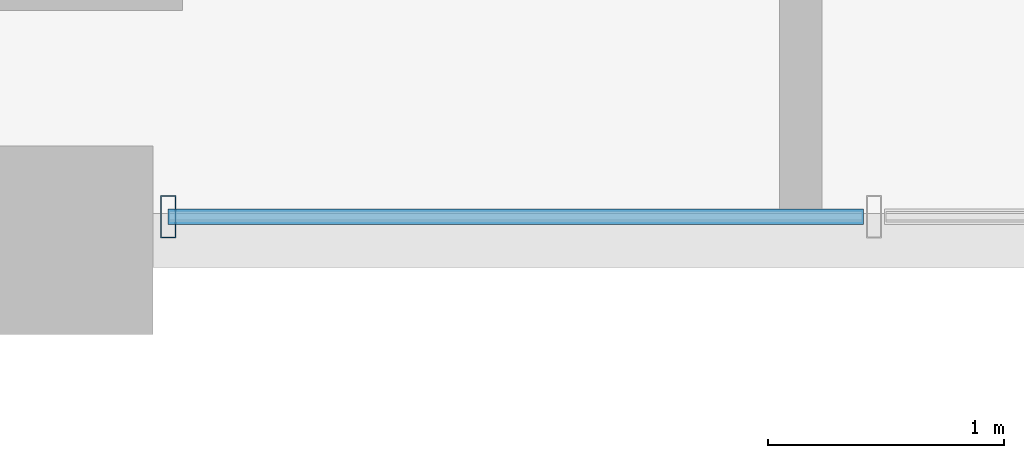
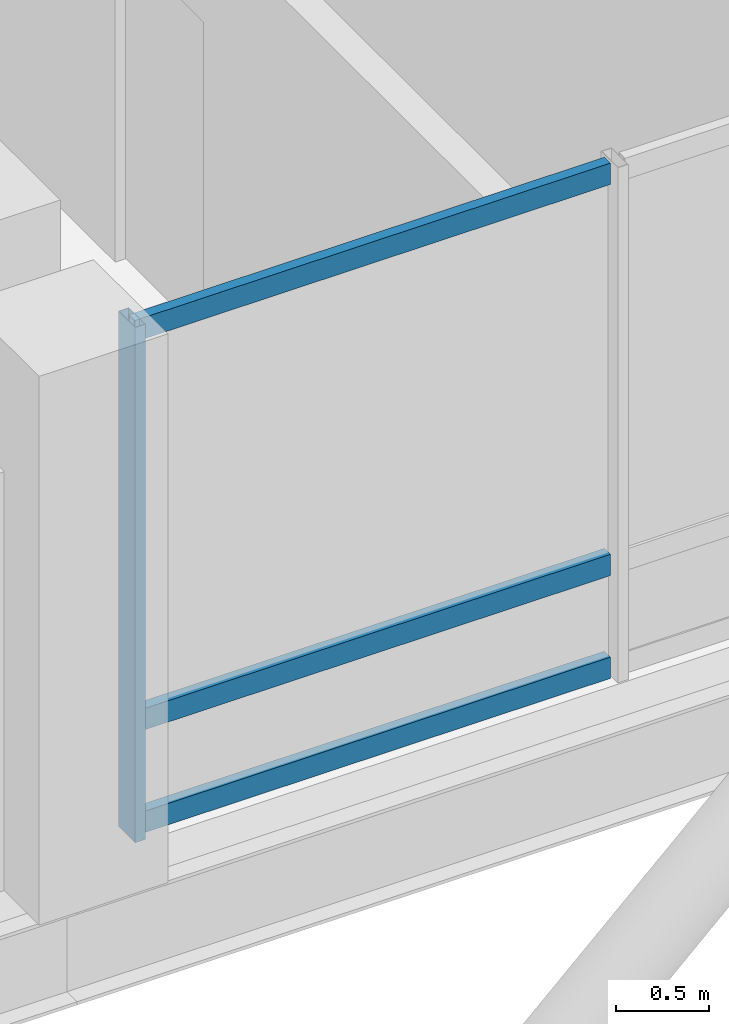
# One storey, part 2 of 24: 4 members, 1 element without a shape of its own.
"""IFC4 building model written with IfcOpenShell, lengths in metres."""

from ifc_helpers import new_model, si_unit, direction, frame, origin, origin_2d, place, context, subcontext, project, spatial, hollow_rectangle, extrude, material, layer, layer_set, material_profile, profile_set, type_object, element, aggregate, save


model = new_model("IFC4")

# Units and contexts
model_context = context("Model", 3, precision=1e-05, world=origin(), true_north=direction((0.0, 1.0)))
body_context = subcontext(model_context, "Body", "Model", "MODEL_VIEW")
ifc_project = project(units=[si_unit("LENGTHUNIT", "METRE"), si_unit("AREAUNIT", "SQUARE_METRE"), si_unit("VOLUMEUNIT", "CUBIC_METRE"), si_unit("PLANEANGLEUNIT", "RADIAN"), si_unit("MASSUNIT", "GRAM", prefix="KILO")], contexts=[model_context])

# Site, building, storey
site_placement = place(None, origin())
site = spatial("IfcSite", under=ifc_project, at=site_placement, CompositionType="ELEMENT")
building_placement = place(site_placement, origin())
building = spatial("IfcBuilding", under=site, at=building_placement, Name="Barlavira Tower and Art Museum", CompositionType="ELEMENT")
storey_placement = place(building_placement, frame((0.0, 0.0, 183.60009765625)))
storey = spatial("IfcBuildingStorey", under=building, at=storey_placement, Name="L47", CompositionType="ELEMENT", Elevation=183.60009765625)

# Curtain wall, members
ifc_material_1 = material(Name="Low-iron coastal laminated glass", Category="glass")
ifc_layer = layer(ifc_material_1, 0.199951171875, Name="Low-iron coastal laminated glass")
ifc_layer_set = layer_set([ifc_layer], Name="Low-iron coastal laminated glass")
curtain_wall_type = type_object("IfcCurtainWallType", Name="Pale-Metal Unitised Curtain Wall Zone 3", PredefinedType="NOTDEFINED", material=ifc_layer_set)
curtain_wall_placement = place(storey_placement, origin())
curtain_wall = element("IfcCurtainWall", 1, at=curtain_wall_placement, inside=storey, type_object=curtain_wall_type, Name="L47 Curtain Wall CW3-L47-S-B3", PredefinedType="NOTDEFINED")
ifc_material_2 = material(Name="Pale anodised aluminium", Category="aluminium")
ifc_material_profile_1 = material_profile(ifc_material_2, hollow_rectangle(XDim=0.06494140625, YDim=0.179931640625, WallThickness=0.00390625, at=origin_2d()), Name="ALU-MULL 65x180x4")
ifc_profile_set_1 = profile_set([ifc_material_profile_1], Name="Pale anodised aluminium")
member_type_1 = type_object("IfcMemberType", Name="Curtain Wall Pale-Metal Mullion 65x180", PredefinedType="MULLION", material=ifc_profile_set_1)
member_1_placement = place(storey_placement, frame((-6.034912109375, -21.39990234375, 0.0), z_axis=(0.0, 0.0, 1.0), x_axis=(1.0, 0.0, 0.0)))
member_1 = element("IfcMember", 2, at=member_1_placement, type_object=member_type_1, Name="CW3-L47-S-B3 Mullion 0", PredefinedType="MULLION", context=body_context, shape_type="SweptSolid", body=[
    extrude(hollow_rectangle(XDim=0.06494140625, YDim=0.179931640625, WallThickness=0.00390625, at=origin_2d()), origin(), (0.0, 0.0, 1.0), 3.3798828125),
])
ifc_material_profile_2 = material_profile(ifc_material_2, hollow_rectangle(XDim=0.06494140625, YDim=0.139892578125, WallThickness=0.00390625, at=origin_2d()), Name="ALU-TRAN 65x140x4")
ifc_profile_set_2 = profile_set([ifc_material_profile_2], Name="Pale anodised aluminium")
member_type_2 = type_object("IfcMemberType", Name="Curtain Wall Pale-Metal Transom 65x140", PredefinedType="USERDEFINED", material=ifc_profile_set_2)
member_2_placement = place(storey_placement, frame((-6.034912109375, -21.39990234375, 0.06982421875), z_axis=(1.0, 0.0, 0.0), x_axis=(0.0, 1.0, 0.0)))
member_2 = element("IfcMember", 3, at=member_2_placement, type_object=member_type_2, Name="CW3-L47-S-B3 Transom 0.1", ObjectType="TRANSOM", PredefinedType="USERDEFINED", context=body_context, shape_type="SweptSolid", body=[
    extrude(hollow_rectangle(XDim=0.06494140625, YDim=0.139892578125, WallThickness=0.00390625, at=origin_2d()), origin(), (0.0, 0.0, 1.0), 2.949951171875),
])
member_3_placement = place(storey_placement, frame((-6.034912109375, -21.39990234375, 0.743896484375), z_axis=(1.0, 0.0, 0.0), x_axis=(0.0, 1.0, 0.0)))
member_3 = element("IfcMember", 4, at=member_3_placement, type_object=member_type_2, Name="CW3-L47-S-B3 Transom 0.2", ObjectType="TRANSOM", PredefinedType="USERDEFINED", context=body_context, shape_type="SweptSolid", body=[
    extrude(hollow_rectangle(XDim=0.06494140625, YDim=0.139892578125, WallThickness=0.00390625, at=origin_2d()), origin(), (0.0, 0.0, 1.0), 2.949951171875),
])
member_4_placement = place(storey_placement, frame((-6.034912109375, -21.39990234375, 3.309814453125), z_axis=(1.0, 0.0, 0.0), x_axis=(0.0, 1.0, 0.0)))
member_4 = element("IfcMember", 5, at=member_4_placement, type_object=member_type_2, Name="CW3-L47-S-B3 Transom 0.3", ObjectType="TRANSOM", PredefinedType="USERDEFINED", context=body_context, shape_type="SweptSolid", body=[
    extrude(hollow_rectangle(XDim=0.06494140625, YDim=0.139892578125, WallThickness=0.00390625, at=origin_2d()), origin(), (0.0, 0.0, 1.0), 2.949951171875),
])
aggregate(curtain_wall, [member_1, member_2, member_3, member_4])

save(model, "model.ifc")
